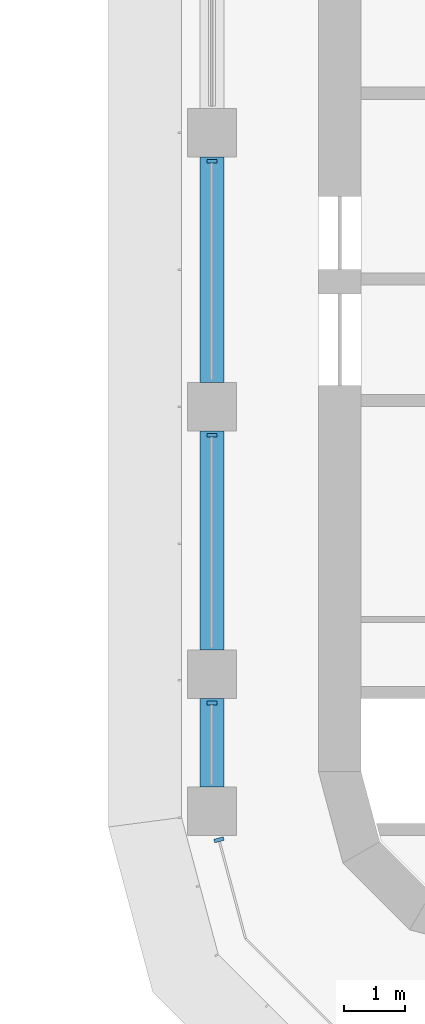
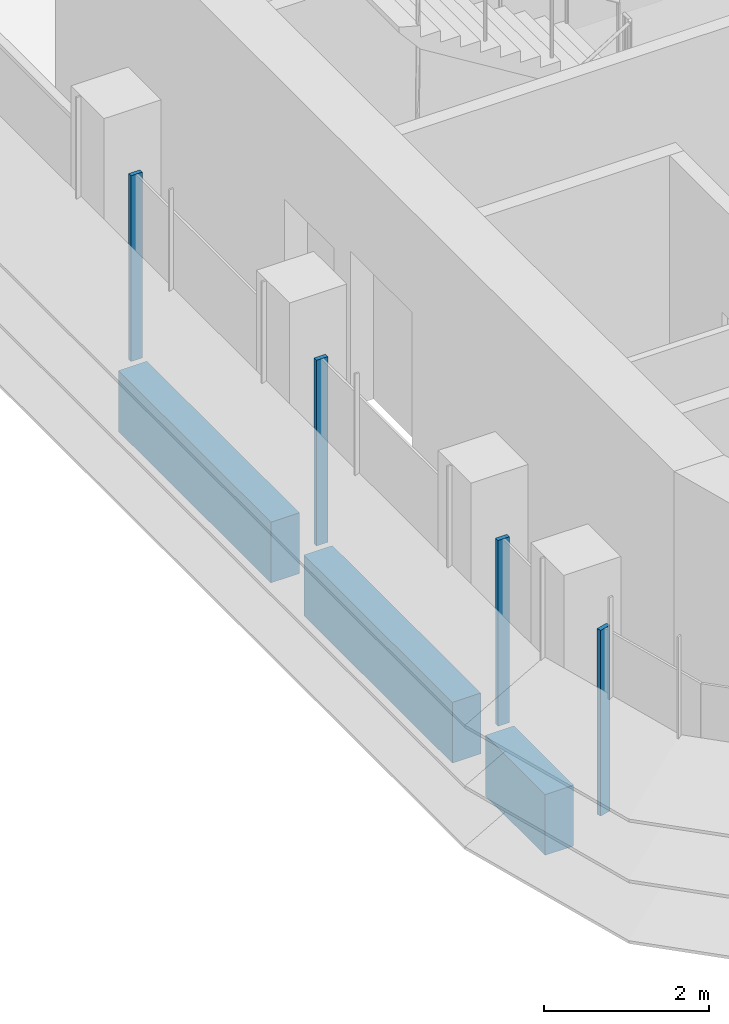
# One storey, part 2 of 19: 4 members, 3 beams, 2 elements without a shape of their own.
"""IFC4 building model written with IfcOpenShell, lengths in metres."""

import ifcopenshell
import ifcopenshell.guid

model = None  # the IFC model being written
_history = None  # IfcOwnerHistory: only IFC2X3 demands one
_inside = {}  # id of a spatial element -> (the spatial element, [elements in it])
_under = {}  # id of a project, library or spatial element -> (it, [spatial elements below it])
_declared = {}  # id of a project -> (the project, [libraries it declares])
_typed = {}  # id of a type object -> (the type object, [elements of that type])
_made_of = {}  # id of a material, layer set ... -> (it, [elements and type objects made of it])


def new_model(schema):
    """Start an empty IFC model of exactly this schema.

    Asked for "IFC4X3", IfcOpenShell would pick the latest addendum, in which some entities
    have other attributes; the version numbers below select the first issue.
    IFC2X3 requires an IfcOwnerHistory on every rooted entity: one is made here for all.
    """
    global model, _history
    if schema == "IFC4X3":
        model = ifcopenshell.file(schema_version=(4, 3, 0, 0))
    else:
        model = ifcopenshell.file(schema=schema)
    _inside.clear()
    _under.clear()
    _declared.clear()
    _typed.clear()
    _made_of.clear()
    _history = None
    if model.schema == "IFC2X3":
        org = make("IfcOrganization", Name="unknown")
        user = make(
            "IfcPersonAndOrganization",
            ThePerson=make("IfcPerson", FamilyName="unknown"),
            TheOrganization=org,
        )
        app = make(
            "IfcApplication",
            ApplicationDeveloper=org,
            Version="unknown",
            ApplicationFullName="unknown",
            ApplicationIdentifier="unknown",
        )
        _history = make(
            "IfcOwnerHistory",
            OwningUser=user,
            OwningApplication=app,
            ChangeAction="ADDED",
            CreationDate=0,
        )
    return model


def make(cls, **values):
    """One entity of the class cls with the attributes given. An attribute that is None is left unset."""
    return model.create_entity(
        cls, **{name: value for name, value in values.items() if value is not None}
    )


def rooted(cls, **values):
    """An entity with a GlobalId (a new one), such as an element, a storey or a relation."""
    return make(cls, GlobalId=ifcopenshell.guid.new(), OwnerHistory=_history, **values)


def si_unit(unit_type, name, prefix=None):
    """IfcSIUnit, for example si_unit("LENGTHUNIT", "METRE", prefix="MILLI")."""
    return make("IfcSIUnit", UnitType=unit_type, Prefix=prefix, Name=name)


def assignment(units):
    """IfcUnitAssignment: the units of a project."""
    return None if units is None else make("IfcUnitAssignment", Units=units)


def point(xyz):
    """IfcCartesianPoint."""
    return None if xyz is None else make("IfcCartesianPoint", Coordinates=xyz)


def direction(xyz):
    """IfcDirection."""
    return None if xyz is None else make("IfcDirection", DirectionRatios=xyz)


def frame(location, z_axis=None, x_axis=None):
    """IfcAxis2Placement3D, a coordinate frame: its origin and axes. An axis left out is left unset."""
    return make(
        "IfcAxis2Placement3D",
        Location=point(location),
        Axis=direction(z_axis),
        RefDirection=direction(x_axis),
    )


def frame_2d(location, x_axis=None):
    """IfcAxis2Placement2D, a coordinate frame in the plane: its origin and x axis."""
    return make(
        "IfcAxis2Placement2D", Location=point(location), RefDirection=direction(x_axis)
    )


def origin():
    """The frame at (0, 0, 0) with its axes left unset."""
    return frame((0.0, 0.0, 0.0))


def origin_2d():
    """The frame at (0, 0) in the plane with its x axis left unset."""
    return frame_2d((0.0, 0.0))


def place(relative_to, where):
    """IfcLocalPlacement: puts the frame where relative to a parent placement (None: the world)."""
    return make(
        "IfcLocalPlacement", PlacementRelTo=relative_to, RelativePlacement=where
    )


def context(
    kind, dimensions, precision=None, world=None, true_north=None, identifier=None
):
    """IfcGeometricRepresentationContext, for example the 3D "Model" context."""
    return make(
        "IfcGeometricRepresentationContext",
        ContextIdentifier=identifier,
        ContextType=kind,
        CoordinateSpaceDimension=dimensions,
        Precision=precision,
        WorldCoordinateSystem=world,
        TrueNorth=true_north,
    )


def subcontext(parent, identifier, kind, view, scale=None):
    """IfcGeometricRepresentationSubContext, for example "Body" below "Model"."""
    return make(
        "IfcGeometricRepresentationSubContext",
        ContextIdentifier=identifier,
        ContextType=kind,
        ParentContext=parent,
        TargetScale=scale,
        TargetView=view,
    )


def project(units=None, contexts=None):
    """IfcProject with its units and contexts."""
    return rooted(
        "IfcProject",
        Name="project",
        RepresentationContexts=contexts,
        UnitsInContext=assignment(units),
    )


def spatial(cls, under=None, at=None, **own):
    """A site, building, storey or space (cls), placed at a placement, below another one or the project."""
    s = rooted(cls, ObjectPlacement=at, **own)
    if under is not None:
        _under.setdefault(under.id(), (under, []))[1].append(s)
    return s


def polyline(points):
    """IfcPolyline through the points."""
    return make("IfcPolyline", Points=[point(p) for p in points])


def profile(cls, at=None, kind="AREA", **sizes):
    """A parametric profile (cls). Its sizes go by their IFC names, for example OverallWidth=200.0."""
    return make(cls, ProfileType=kind, Position=at, **sizes)


def rectangle(**sizes):
    """IfcRectangleProfileDef."""
    return profile("IfcRectangleProfileDef", **sizes)


def outline(outer, holes=None, kind="AREA"):
    """IfcArbitraryClosedProfileDef: a profile drawn as a closed curve; with holes, ...WithVoids."""
    if holes is None:
        return make("IfcArbitraryClosedProfileDef", ProfileType=kind, OuterCurve=outer)
    return make(
        "IfcArbitraryProfileDefWithVoids",
        ProfileType=kind,
        OuterCurve=outer,
        InnerCurves=holes,
    )


def extrude(swept, where, along, depth):
    """IfcExtrudedAreaSolid: the profile swept, set in the frame where, extruded along a direction by depth."""
    return make(
        "IfcExtrudedAreaSolid",
        SweptArea=swept,
        Position=where,
        ExtrudedDirection=direction(along),
        Depth=depth,
    )


def shape(context_of_items, identifier, shape_type, items):
    """IfcShapeRepresentation: the items that make up one representation, for example the "Body"."""
    return make(
        "IfcShapeRepresentation",
        ContextOfItems=context_of_items,
        RepresentationIdentifier=identifier,
        RepresentationType=shape_type,
        Items=items,
    )


def source(mapping_origin, context_of_items, identifier, shape_type, items):
    """IfcRepresentationMap: a shape defined once, which mapped items show again and again."""
    return make(
        "IfcRepresentationMap",
        MappingOrigin=mapping_origin,
        MappedRepresentation=shape(context_of_items, identifier, shape_type, items),
    )


def transform(
    local_origin,
    x_axis=None,
    y_axis=None,
    z_axis=None,
    scale=None,
    scale2=None,
    scale3=None,
    uniform=True,
):
    """IfcCartesianTransformationOperator3D, or its non-uniform kind. x_axis, y_axis, z_axis: its Axis1, 2, 3."""
    if uniform:
        return make(
            "IfcCartesianTransformationOperator3D",
            Axis1=direction(x_axis),
            Axis2=direction(y_axis),
            LocalOrigin=point(local_origin),
            Scale=scale,
            Axis3=direction(z_axis),
        )
    return make(
        "IfcCartesianTransformationOperator3DnonUniform",
        Axis1=direction(x_axis),
        Axis2=direction(y_axis),
        LocalOrigin=point(local_origin),
        Scale=scale,
        Axis3=direction(z_axis),
        Scale2=scale2,
        Scale3=scale3,
    )


def mapped(mapping_source, mapping_target):
    """IfcMappedItem: shows the shape of a source again, moved by a transform."""
    return make(
        "IfcMappedItem", MappingSource=mapping_source, MappingTarget=mapping_target
    )


def material(Name=None, Category=None):
    """IfcMaterial."""
    return make("IfcMaterial", Name=Name, Category=Category)


def material_profile(
    of_material, cross_section, Name=None, Category=None, Priority=None
):
    """IfcMaterialProfile: a cross section and its material."""
    return make(
        "IfcMaterialProfile",
        Name=Name,
        Material=of_material,
        Profile=cross_section,
        Priority=Priority,
        Category=Category,
    )


def profile_set(profiles, Name=None, composite=None):
    """IfcMaterialProfileSet."""
    return make(
        "IfcMaterialProfileSet",
        Name=Name,
        MaterialProfiles=profiles,
        CompositeProfile=composite,
    )


def made_of(thing, what):
    """Note that an element or type object is made of a material, layer set ...; save() writes the relation."""
    if what is not None:
        _made_of.setdefault(what.id(), (what, []))[1].append(thing)
    return thing


def type_object(cls, material=None, **own):
    """A type object (cls), such as IfcWallType, which elements share."""
    return made_of(rooted(cls, **own), material)


def element(
    cls,
    number,
    at=None,
    inside=None,
    cuts=None,
    type_object=None,
    material=None,
    context=None,
    identifier="Body",
    shape_type=None,
    held_by="IfcProductDefinitionShape",
    body=None,
    shapes=None,
    **own,
):
    """One element of the class cls, such as IfcWall. Its Tag is "e" and its number.

    at: its placement. inside: the storey or other place that contains it. cuts: it is an
    opening in that element (IfcRelVoidsElement). A single representation is given by context,
    identifier, shape_type and body (its items); several are given by shapes. held_by: the class
    of the entity that holds the representations. save() writes the other relations.
    """
    e = rooted(cls, Tag="e%d" % number, ObjectPlacement=at, **own)
    if body is not None:
        shapes = [shape(context, identifier, shape_type, body)]
    if shapes is not None:
        e.Representation = make(held_by, Representations=shapes)
    if inside is not None:
        _inside.setdefault(inside.id(), (inside, []))[1].append(e)
    if cuts is not None:
        rooted(
            "IfcRelVoidsElement", RelatingBuildingElement=cuts, RelatedOpeningElement=e
        )
    if type_object is not None:
        _typed.setdefault(type_object.id(), (type_object, []))[1].append(e)
    return made_of(e, material)


def aggregate(whole, parts):
    """IfcRelAggregates: a whole, such as a stair, and the parts it consists of."""
    return rooted("IfcRelAggregates", RelatingObject=whole, RelatedObjects=parts)


def save(model, path):
    """Write the relations noted so far, then the file.

    IfcRelAggregates (storeys below a building ...), IfcRelContainedInSpatialStructure (elements
    in a storey), IfcRelDefinesByType, IfcRelAssociatesMaterial and IfcRelDeclares: one each for
    every whole, place, type object, material and project.
    """
    for whole, parts in _under.values():
        aggregate(whole, parts)
    for where, things in _inside.values():
        rooted(
            "IfcRelContainedInSpatialStructure",
            RelatedElements=things,
            RelatingStructure=where,
        )
    for kind, things in _typed.values():
        rooted("IfcRelDefinesByType", RelatedObjects=things, RelatingType=kind)
    for what, things in _made_of.values():
        rooted("IfcRelAssociatesMaterial", RelatedObjects=things, RelatingMaterial=what)
    for by, libraries in _declared.values():
        rooted("IfcRelDeclares", RelatingContext=by, RelatedDefinitions=libraries)
    model.write(path)


model = new_model("IFC4")

# Units and contexts
model_context = context("Model", 3, precision=1e-05, world=origin(), true_north=direction((0.0, 1.0)))
body_context = subcontext(model_context, "Body", "Model", "MODEL_VIEW")
ifc_project = project(units=[si_unit("LENGTHUNIT", "METRE"), si_unit("AREAUNIT", "SQUARE_METRE"), si_unit("VOLUMEUNIT", "CUBIC_METRE"), si_unit("PLANEANGLEUNIT", "RADIAN"), si_unit("MASSUNIT", "GRAM", prefix="KILO")], contexts=[model_context])

# Site, building, storey
site_placement = place(None, origin())
site = spatial("IfcSite", under=ifc_project, at=site_placement, CompositionType="ELEMENT")
building_placement = place(site_placement, origin())
building = spatial("IfcBuilding", under=site, at=building_placement, Name="Zarbagh Exchange Tower", CompositionType="ELEMENT")
storey_placement = place(building_placement, frame((0.0, 0.0, 179.0)))
storey = spatial("IfcBuildingStorey", under=building, at=storey_placement, Name="L43", CompositionType="ELEMENT", Elevation=179.0)

# Beams
ifc_material_1 = material(Name="Concrete C50/60", Category="concrete")
ifc_material_profile = material_profile(ifc_material_1, rectangle(XDim=0.39990234375, YDim=0.89990234375, at=origin_2d()), Name="RC spandrel beam 400 x 900 C50/60")
ifc_profile_set = profile_set([ifc_material_profile], Name="Concrete C50/60")
beam_type = type_object("IfcBeamType", Name="RC spandrel beam 400 x 900 C50/60", PredefinedType="SPANDREL", material=ifc_profile_set)
beam_1_placement = place(storey_placement, frame((-6.25, -26.5, -0.60009765625), z_axis=(0.0, 1.0, 0.0), x_axis=(-1.0, 0.0, 0.0)))
element("IfcBeam", 1, at=beam_1_placement, inside=storey, type_object=beam_type, Name="RC spandrel beam", PredefinedType="SPANDREL", context=body_context, shape_type="SweptSolid", body=[
    extrude(rectangle(XDim=0.39990234375, YDim=0.89990234375, at=origin_2d()), origin(), (0.0, 0.0, 1.0), 1.449951171875),
])
beam_2_placement = place(storey_placement, frame((-6.25, -24.25, -0.60009765625), z_axis=(0.0, 1.0, 0.0), x_axis=(-1.0, 0.0, 0.0)))
element("IfcBeam", 2, at=beam_2_placement, inside=storey, type_object=beam_type, Name="RC spandrel beam", PredefinedType="SPANDREL", context=body_context, shape_type="SweptSolid", body=[
    extrude(rectangle(XDim=0.39990234375, YDim=0.89990234375, at=origin_2d()), origin(), (0.0, 0.0, 1.0), 3.60009765625),
])
beam_3_placement = place(storey_placement, frame((-6.25, -19.85009765625, -0.60009765625), z_axis=(0.0, 1.0, 0.0), x_axis=(-1.0, 0.0, 0.0)))
element("IfcBeam", 3, at=beam_3_placement, inside=storey, type_object=beam_type, Name="RC spandrel beam", PredefinedType="SPANDREL", context=body_context, shape_type="SweptSolid", body=[
    extrude(rectangle(XDim=0.39990234375, YDim=0.89990234375, at=origin_2d()), origin(), (0.0, 0.0, 1.0), 3.7001953125),
])

# Curtain wall, members
ifc_material_2 = material(Name="Anodised aluminium frame and glazing", Category="aluminium")
curtain_wall_type = type_object("IfcCurtainWallType", Name="CWB Ribbon glazing, upper zones", PredefinedType="NOTDEFINED", material=ifc_material_2)
curtain_wall_1_placement = place(storey_placement, origin())
curtain_wall_1 = element("IfcCurtainWall", 4, at=curtain_wall_1_placement, inside=storey, type_object=curtain_wall_type, Name="CWB53 curtain wall", PredefinedType="NOTDEFINED")
ifc_material_3 = material(Name="Anodised aluminium frame", Category="aluminium")
member_type = type_object("IfcMemberType", Name="MUB Mullion, anodised aluminium frame", PredefinedType="MULLION", material=ifc_material_3)
shared_shape = source(origin(), body_context, "Body", "SweptSolid", [
    extrude(outline(polyline([(0.0, -0.080078125), (0.06005859375, -0.080078125), (0.06005859375, 0.080078125), (0.0, 0.080078125), (0.0, -0.080078125)])), origin(), (0.0, 0.0, 1.0), 2.75),
])
placement = place(storey_placement, origin())
member_1 = element("IfcMember", 5, at=placement, type_object=member_type, Name="CWB53 mullion 2.1", PredefinedType="MULLION", context=body_context, shape_type="MappedRepresentation", body=[
    mapped(shared_shape, transform((-6.25, -16.18994140625, 0.0), x_axis=(0.0, -1.0, 0.0), y_axis=(1.0, 0.0, 0.0), z_axis=(0.0, 0.0, 1.0))),
])
member_2 = element("IfcMember", 6, at=placement, type_object=member_type, Name="CWB53 mullion 3.1", PredefinedType="MULLION", context=body_context, shape_type="MappedRepresentation", body=[
    mapped(shared_shape, transform((-6.25, -20.68994140625, 0.0), x_axis=(0.0, -1.0, 0.0), y_axis=(1.0, 0.0, 0.0), z_axis=(0.0, 0.0, 1.0))),
])
member_3 = element("IfcMember", 7, at=placement, type_object=member_type, Name="CWB53 mullion 4.1", PredefinedType="MULLION", context=body_context, shape_type="MappedRepresentation", body=[
    mapped(shared_shape, transform((-6.25, -25.090087890625, 0.0), x_axis=(0.0, -1.0, 0.0), y_axis=(1.0, 0.0, 0.0), z_axis=(0.0, 0.0, 1.0))),
])
aggregate(curtain_wall_1, [member_1, member_2, member_3])

# Curtain wall, member
curtain_wall_2_placement = place(storey_placement, origin())
curtain_wall_2 = element("IfcCurtainWall", 8, at=curtain_wall_2_placement, inside=storey, type_object=curtain_wall_type, Name="CWB54 curtain wall", PredefinedType="NOTDEFINED")
member_4 = element("IfcMember", 9, at=placement, type_object=member_type, Name="CWB54 mullion 1.1", PredefinedType="MULLION", context=body_context, shape_type="MappedRepresentation", body=[
    mapped(shared_shape, transform((-6.141357421875, -27.33984375, 0.0), x_axis=(0.258824779902, -0.965924289636, 0.0), y_axis=(0.965924289636, 0.258824779902, 0.0), z_axis=(0.0, 0.0, 1.0))),
])
aggregate(curtain_wall_2, [member_4])

save(model, "model.ifc")
